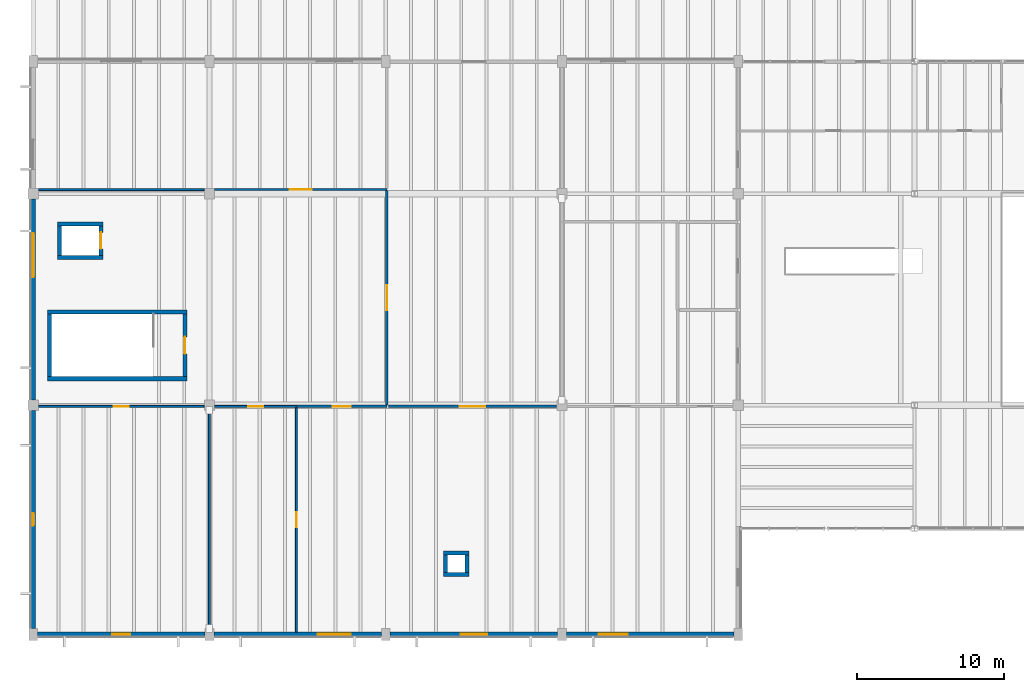
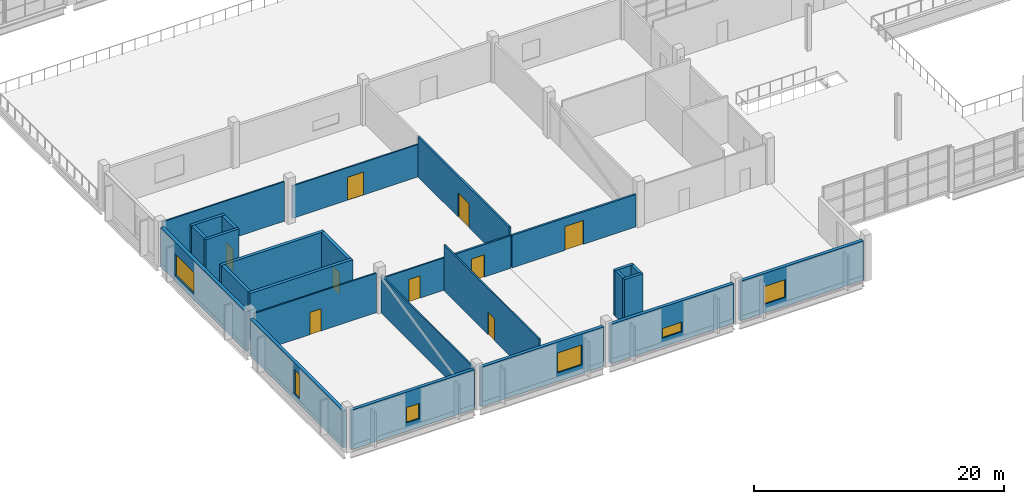
# One storey, part 55 of 78: 27 walls, 9 doors, 6 windows, 15 openings.
"""IFC4 building model written with IfcOpenShell, lengths in metres."""

from ifc_helpers import new_model, si_unit, direction, frame, frame_2d, origin, place, context, subcontext, project, spatial, rectangle, extrude, material, layer, layer_set, type_object, element, fill, save


model = new_model("IFC4")

# Units and contexts
model_context = context("Model", 3, precision=1e-05, world=origin(), true_north=direction((0.0, 1.0)))
body_context = subcontext(model_context, "Body", "Model", "MODEL_VIEW")
ifc_project = project(units=[si_unit("LENGTHUNIT", "METRE"), si_unit("AREAUNIT", "SQUARE_METRE"), si_unit("VOLUMEUNIT", "CUBIC_METRE"), si_unit("PLANEANGLEUNIT", "RADIAN"), si_unit("MASSUNIT", "GRAM", prefix="KILO")], contexts=[model_context])

# Site, building, storey
site_placement = place(None, origin())
site = spatial("IfcSite", under=ifc_project, at=site_placement, CompositionType="ELEMENT")
building_placement = place(site_placement, origin())
building = spatial("IfcBuilding", under=site, at=building_placement, Name="Kelmvaro Bay Concert Hall", CompositionType="ELEMENT")
storey_placement = place(building_placement, frame((0.0, 0.0, 9.300048828125)))
storey = spatial("IfcBuildingStorey", under=building, at=storey_placement, Name="L02", CompositionType="ELEMENT", Elevation=9.300048828125)

# Wall, opening, door
ifc_material_1 = material(Name="Acoustic Gypsum Board on Galvanised Steel Studs", Category="steel")
ifc_layer_1 = layer(ifc_material_1, 0.1298828125)
ifc_layer_set_1 = layer_set([ifc_layer_1], Name="Acoustic Gypsum Board on Galvanised Steel Studs")
wall_type_1 = type_object("IfcWallType", Name="Classroom Acoustic Partition 130", PredefinedType="PARTITIONING", material=ifc_layer_set_1)
wall_1_placement = place(storey_placement, frame((0.35791015625, 15.52001953125, 0.0), z_axis=(0.0, 0.0, 1.0), x_axis=(1.0, 0.0, 0.0)))
wall_1 = element("IfcWall", 1, at=wall_1_placement, inside=storey, type_object=wall_type_1, Name="L02 Interior Partition PT-L02-0231", PredefinedType="PARTITIONING", context=body_context, shape_type="SweptSolid", body=[
    extrude(rectangle(XDim=11.2841796875, YDim=0.1298828125, at=frame_2d((5.64208984375, 0.0))), origin(), (0.0, 0.0, 1.0), 3.873046875),
])
opening_1_placement = place(wall_1_placement, frame((5.126953125, 0.0, 0.0)))
opening_1 = element("IfcOpeningElement", 2, at=opening_1_placement, cuts=wall_1, Name="Opening ID-ED1", PredefinedType="OPENING", context=body_context, shape_type="SweptSolid", body=[
    extrude(rectangle(XDim=1.030029296875, YDim=2.179931640625, at=frame_2d((0.51513671875, 1.08984375))), frame((0.0, 0.074951171875, 0.0), z_axis=(0.0, -1.0, 0.0), x_axis=(1.0, 0.0, 0.0)), (0.0, 0.0, 1.0), 0.14990234375),
])
ifc_material_2 = material(Name="Oak Veneer and Acoustic Glass", Category="glass")
door_type_1 = type_object("IfcDoorType", Name="Classroom Vision-Lite Door 1030x2180", OperationType="NOTDEFINED", PredefinedType="DOOR", material=ifc_material_2)
door_1_placement = place(opening_1_placement, origin())
door_1 = element("IfcDoor", 3, at=door_1_placement, inside=storey, type_object=door_type_1, Name="L02 Interior Door DR-INT-L02-0138", OperationType="SINGLE_SWING_RIGHT", OverallHeight=2.179931640625, OverallWidth=1.030029296875, PredefinedType="DOOR", context=body_context, shape_type="SweptSolid", body=[
    extrude(rectangle(XDim=1.030029296875, YDim=2.179931640625, at=frame_2d((0.51513671875, 1.08984375))), frame((0.0, 0.02490234375, 0.0), z_axis=(0.0, -1.0, 0.0), x_axis=(1.0, 0.0, 0.0)), (0.0, 0.0, 1.0), 0.050048828125),
])
fill(opening_1, door_1)

wall_2_placement = place(storey_placement, frame((12.35791015625, 15.52001953125, 0.0), z_axis=(0.0, 0.0, 1.0), x_axis=(1.0, 0.0, 0.0)))
wall_2 = element("IfcWall", 4, at=wall_2_placement, inside=storey, type_object=wall_type_1, Name="L02 Interior Partition PT-L02-0232", PredefinedType="PARTITIONING", context=body_context, shape_type="SweptSolid", body=[
    extrude(rectangle(XDim=5.592041015625, YDim=0.1298828125, at=frame_2d((2.7958984375, 0.0))), origin(), (0.0, 0.0, 1.0), 3.179931640625),
])
opening_2_placement = place(wall_2_placement, frame((2.281005859375, 0.0, 0.0)))
opening_2 = element("IfcOpeningElement", 5, at=opening_2_placement, cuts=wall_2, Name="Opening ID-ED1", PredefinedType="OPENING", context=body_context, shape_type="SweptSolid", body=[
    extrude(rectangle(XDim=1.030029296875, YDim=2.179931640625, at=frame_2d((0.51513671875, 1.08984375))), frame((0.0, 0.074951171875, 0.0), z_axis=(0.0, -1.0, 0.0), x_axis=(1.0, 0.0, 0.0)), (0.0, 0.0, 1.0), 0.14990234375),
])
door_2_placement = place(opening_2_placement, origin())
door_2 = element("IfcDoor", 6, at=door_2_placement, inside=storey, type_object=door_type_1, Name="L02 Interior Door DR-INT-L02-0139", OperationType="SINGLE_SWING_LEFT", OverallHeight=2.179931640625, OverallWidth=1.030029296875, PredefinedType="DOOR", context=body_context, shape_type="SweptSolid", body=[
    extrude(rectangle(XDim=1.030029296875, YDim=2.179931640625, at=frame_2d((0.51513671875, 1.08984375))), frame((0.0, 0.02490234375, 0.0), z_axis=(0.0, -1.0, 0.0), x_axis=(1.0, 0.0, 0.0)), (0.0, 0.0, 1.0), 0.050048828125),
])
fill(opening_2, door_2)

# Wall
wall_3_placement = place(storey_placement, frame((0.35791015625, 30.280029296875, 0.0), z_axis=(0.0, 0.0, 1.0), x_axis=(1.0, 0.0, 0.0)))
element("IfcWall", 7, at=wall_3_placement, inside=storey, type_object=wall_type_1, Name="L02 Interior Partition PT-L02-0233", PredefinedType="PARTITIONING", context=body_context, shape_type="SweptSolid", body=[
    extrude(rectangle(XDim=11.2841796875, YDim=0.1298828125, at=frame_2d((5.64208984375, 0.0))), origin(), (0.0, 0.0, 1.0), 3.873046875),
])

# Wall, opening, door
wall_4_placement = place(storey_placement, frame((12.35791015625, 30.280029296875, 0.0), z_axis=(0.0, 0.0, 1.0), x_axis=(1.0, 0.0, 0.0)))
wall_4 = element("IfcWall", 8, at=wall_4_placement, inside=storey, type_object=wall_type_1, Name="L02 Interior Partition PT-L02-0234", PredefinedType="PARTITIONING", context=body_context, shape_type="SweptSolid", body=[
    extrude(rectangle(XDim=11.72705078125, YDim=0.1298828125, at=frame_2d((5.863525390625, 0.0))), origin(), (0.0, 0.0, 1.0), 3.179931640625),
])
opening_3_placement = place(wall_4_placement, frame((5.103515625, 0.0, 0.0)))
opening_3 = element("IfcOpeningElement", 9, at=opening_3_placement, cuts=wall_4, Name="Opening ID-ED2", PredefinedType="OPENING", context=body_context, shape_type="SweptSolid", body=[
    extrude(rectangle(XDim=1.52001953125, YDim=2.239990234375, at=frame_2d((0.760009765625, 1.1201171875))), frame((0.0, 0.074951171875, 0.0), z_axis=(0.0, -1.0, 0.0), x_axis=(1.0, 0.0, 0.0)), (0.0, 0.0, 1.0), 0.14990234375),
])
ifc_material_3 = material(Name="Oak Veneer and Acoustic Glass", Category="glass")
door_type_2 = type_object("IfcDoorType", Name="Archive Library Double Door 1520x2240", OperationType="NOTDEFINED", PredefinedType="DOOR", material=ifc_material_3)
door_3_placement = place(opening_3_placement, origin())
door_3 = element("IfcDoor", 10, at=door_3_placement, inside=storey, type_object=door_type_2, Name="L02 Interior Door DR-INT-L02-0140", OperationType="DOUBLE_DOOR_SINGLE_SWING", OverallHeight=2.239990234375, OverallWidth=1.52001953125, PredefinedType="DOOR", context=body_context, shape_type="SweptSolid", body=[
    extrude(rectangle(XDim=1.52001953125, YDim=2.239990234375, at=frame_2d((0.760009765625, 1.1201171875))), frame((0.0, 0.02490234375, 0.0), z_axis=(0.0, -1.0, 0.0), x_axis=(1.0, 0.0, 0.0)), (0.0, 0.0, 1.0), 0.050048828125),
])
fill(opening_3, door_3)

# Wall
wall_5_placement = place(storey_placement, frame((12.0, 0.407958984375, 0.0), z_axis=(0.0, 0.0, 1.0), x_axis=(0.0, 1.0, 0.0)))
element("IfcWall", 11, at=wall_5_placement, inside=storey, type_object=wall_type_1, Name="L02 Interior Partition PT-L02-0237", PredefinedType="PARTITIONING", context=body_context, shape_type="SweptSolid", body=[
    extrude(rectangle(XDim=14.833984375, YDim=0.1298828125, at=frame_2d((7.4169921875, 0.0))), origin(), (0.0, 0.0, 1.0), 3.634033203125),
])

# Wall, opening, door
wall_6_placement = place(storey_placement, frame((17.919921875, 0.159912109375, 0.0), z_axis=(0.0, 0.0, 1.0), x_axis=(0.0, 1.0, 0.0)))
wall_6 = element("IfcWall", 12, at=wall_6_placement, inside=storey, type_object=wall_type_1, Name="L02 Interior Partition PT-L02-0238", PredefinedType="PARTITIONING", context=body_context, shape_type="SweptSolid", body=[
    extrude(rectangle(XDim=15.26513671875, YDim=0.1298828125, at=frame_2d((7.632568359375, 0.0))), origin(), (0.0, 0.0, 1.0), 4.5),
])
opening_4_placement = place(wall_6_placement, frame((7.117431640625, 0.0, 0.0)))
opening_4 = element("IfcOpeningElement", 13, at=opening_4_placement, cuts=wall_6, Name="Opening ID-ED1", PredefinedType="OPENING", context=body_context, shape_type="SweptSolid", body=[
    extrude(rectangle(XDim=1.030029296875, YDim=2.179931640625, at=frame_2d((0.51513671875, 1.08984375))), frame((0.0, 0.074951171875, 0.0), z_axis=(0.0, -1.0, 0.0), x_axis=(1.0, 0.0, 0.0)), (0.0, 0.0, 1.0), 0.14990234375),
])
door_4_placement = place(opening_4_placement, origin())
door_4 = element("IfcDoor", 14, at=door_4_placement, inside=storey, type_object=door_type_1, Name="L02 Interior Door DR-INT-L02-0143", OperationType="SINGLE_SWING_LEFT", OverallHeight=2.179931640625, OverallWidth=1.030029296875, PredefinedType="DOOR", context=body_context, shape_type="SweptSolid", body=[
    extrude(rectangle(XDim=1.030029296875, YDim=2.179931640625, at=frame_2d((0.51513671875, 1.08984375))), frame((0.0, 0.02490234375, 0.0), z_axis=(0.0, -1.0, 0.0), x_axis=(1.0, 0.0, 0.0)), (0.0, 0.0, 1.0), 0.050048828125),
])
fill(opening_4, door_4)

ifc_material_4 = material(Name="Acoustic Gypsum Board on Galvanised Steel Studs", Category="steel")
ifc_layer_2 = layer(ifc_material_4, 0.169921875)
ifc_layer_set_2 = layer_set([ifc_layer_2], Name="Acoustic Gypsum Board on Galvanised Steel Studs")
wall_type_2 = type_object("IfcWallType", Name="Corridor Fire Compartment Partition 170", PredefinedType="PARTITIONING", material=ifc_layer_set_2)
wall_7_placement = place(storey_placement, frame((17.949951171875, 15.52001953125, 0.0), z_axis=(0.0, 0.0, 1.0), x_axis=(1.0, 0.0, 0.0)))
wall_7 = element("IfcWall", 15, at=wall_7_placement, inside=storey, type_object=wall_type_2, Name="L02 Interior Partition PT-L02-0235", PredefinedType="PARTITIONING", context=body_context, shape_type="SweptSolid", body=[
    extrude(rectangle(XDim=6.135009765625, YDim=0.169921875, at=frame_2d((3.0673828125, 0.0))), origin(), (0.0, 0.0, 1.0), 3.179931640625),
])
opening_5_placement = place(wall_7_placement, frame((2.45751953125, 0.0, 0.0)))
opening_5 = element("IfcOpeningElement", 16, at=opening_5_placement, cuts=wall_7, Name="Opening ID-ST2", PredefinedType="OPENING", context=body_context, shape_type="SweptSolid", body=[
    extrude(rectangle(XDim=1.219970703125, YDim=2.179931640625, at=frame_2d((0.60986328125, 1.08984375))), frame((0.0, 0.094970703125, 0.0), z_axis=(0.0, -1.0, 0.0), x_axis=(1.0, 0.0, 0.0)), (0.0, 0.0, 1.0), 0.18994140625),
])
ifc_material_5 = material(Name="Acoustic Oak and Fire Glass", Category="glass")
door_type_3 = type_object("IfcDoorType", Name="Core Lobby Smoke Control Door 1220x2180", OperationType="NOTDEFINED", PredefinedType="DOOR", material=ifc_material_5)
door_5_placement = place(opening_5_placement, origin())
door_5 = element("IfcDoor", 17, at=door_5_placement, inside=storey, type_object=door_type_3, Name="L02 Interior Door DR-INT-L02-0141", OperationType="SINGLE_SWING_LEFT", OverallHeight=2.179931640625, OverallWidth=1.219970703125, PredefinedType="DOOR", context=body_context, shape_type="SweptSolid", body=[
    extrude(rectangle(XDim=1.219970703125, YDim=2.179931640625, at=frame_2d((0.60986328125, 1.08984375))), frame((0.0, 0.02490234375, 0.0), z_axis=(0.0, -1.0, 0.0), x_axis=(1.0, 0.0, 0.0)), (0.0, 0.0, 1.0), 0.050048828125),
])
fill(opening_5, door_5)

# Wall, opening, window
ifc_material_6 = material(Name="Precast Concrete C40/50", Category="concrete")
ifc_layer_3 = layer(ifc_material_6, 0.300048828125)
ifc_layer_set_3 = layer_set([ifc_layer_3], Name="Precast Concrete C40/50")
wall_type_3 = type_object("IfcWallType", Name="Education Pavilion Precast Wall 300", PredefinedType="SOLIDWALL", material=ifc_layer_set_3)
wall_8_placement = place(storey_placement, frame((11.699951171875, 0.0, 0.0), z_axis=(0.0, 0.0, 1.0), x_axis=(-1.0, 0.0, 0.0)))
wall_8 = element("IfcWall", 18, at=wall_8_placement, inside=storey, type_object=wall_type_3, Name="L02 Exterior Wall EW-L02-0178", PredefinedType="SOLIDWALL", context=body_context, shape_type="SweptSolid", body=[
    extrude(rectangle(XDim=11.39990234375, YDim=0.300048828125, at=frame_2d((5.699951171875, 0.0))), origin(), (0.0, 0.0, 1.0), 3.873046875),
])
opening_6_placement = place(wall_8_placement, frame((5.10009765625, 0.0, 0.85009765625)))
opening_6 = element("IfcOpeningElement", 19, at=opening_6_placement, cuts=wall_8, Name="Opening WN-06", PredefinedType="OPENING", context=body_context, shape_type="SweptSolid", body=[
    extrude(rectangle(XDim=1.199951171875, YDim=1.5, at=frame_2d((0.60009765625, 0.75))), frame((0.0, 0.159912109375, 0.0), z_axis=(0.0, -1.0, 0.0), x_axis=(1.0, 0.0, 0.0)), (0.0, 0.0, 1.0), 0.320068359375),
])
ifc_material_7 = material(Name="Thermally Broken Aluminium and Acoustic Low-E Glass", Category="aluminium")
window_type_1 = type_object("IfcWindowType", Name="Dressing Suite Daylight Window 1200x1500", PartitioningType="SINGLE_PANEL", PredefinedType="WINDOW", material=ifc_material_7)
window_1_placement = place(opening_6_placement, origin())
window_1 = element("IfcWindow", 20, at=window_1_placement, inside=storey, type_object=window_type_1, Name="L02 Facade Window WN-L02-0087", OverallHeight=1.5, OverallWidth=1.199951171875, PartitioningType="SINGLE_PANEL", PredefinedType="WINDOW", context=body_context, shape_type="SweptSolid", body=[
    extrude(rectangle(XDim=1.199951171875, YDim=1.5, at=frame_2d((0.60009765625, 0.75))), frame((0.0, 0.030029296875, 0.0), z_axis=(0.0, -1.0, 0.0), x_axis=(1.0, 0.0, 0.0)), (0.0, 0.0, 1.0), 0.06005859375),
])
fill(opening_6, window_1)

wall_9_placement = place(storey_placement, frame((23.699951171875, 0.0, 0.0), z_axis=(0.0, 0.0, 1.0), x_axis=(-1.0, 0.0, 0.0)))
wall_9 = element("IfcWall", 21, at=wall_9_placement, inside=storey, type_object=wall_type_3, Name="L02 Exterior Wall EW-L02-0180", PredefinedType="SOLIDWALL", context=body_context, shape_type="SweptSolid", body=[
    extrude(rectangle(XDim=11.39990234375, YDim=0.300048828125, at=frame_2d((5.699951171875, 0.0))), origin(), (0.0, 0.0, 1.0), 3.873046875),
])
opening_7_placement = place(wall_9_placement, frame((2.06689453125, 0.0, 0.85009765625)))
opening_7 = element("IfcOpeningElement", 22, at=opening_7_placement, cuts=wall_9, Name="Opening WN-08", PredefinedType="OPENING", context=body_context, shape_type="SweptSolid", body=[
    extrude(rectangle(XDim=2.25, YDim=1.949951171875, at=frame_2d((1.125, 0.97509765625))), frame((0.0, 0.159912109375, 0.0), z_axis=(0.0, -1.0, 0.0), x_axis=(1.0, 0.0, 0.0)), (0.0, 0.0, 1.0), 0.320068359375),
])
ifc_material_8 = material(Name="Thermally Broken Aluminium and Acoustic Low-E Glass", Category="aluminium")
window_type_2 = type_object("IfcWindowType", Name="Classroom Mullion Window 2250x1950", PartitioningType="SINGLE_PANEL", PredefinedType="WINDOW", material=ifc_material_8)
window_2_placement = place(opening_7_placement, origin())
window_2 = element("IfcWindow", 23, at=window_2_placement, inside=storey, type_object=window_type_2, Name="L02 Facade Window WN-L02-0089", OverallHeight=1.949951171875, OverallWidth=2.25, PartitioningType="SINGLE_PANEL", PredefinedType="WINDOW", context=body_context, shape_type="SweptSolid", body=[
    extrude(rectangle(XDim=2.25, YDim=1.949951171875, at=frame_2d((1.125, 0.97509765625))), frame((0.0, 0.030029296875, 0.0), z_axis=(0.0, -1.0, 0.0), x_axis=(1.0, 0.0, 0.0)), (0.0, 0.0, 1.0), 0.06005859375),
])
fill(opening_7, window_2)

wall_10_placement = place(storey_placement, frame((35.699951171875, 0.0, 0.0), z_axis=(0.0, 0.0, 1.0), x_axis=(-1.0, 0.0, 0.0)))
wall_10 = element("IfcWall", 24, at=wall_10_placement, inside=storey, type_object=wall_type_3, Name="L02 Exterior Wall EW-L02-0182", PredefinedType="SOLIDWALL", context=body_context, shape_type="SweptSolid", body=[
    extrude(rectangle(XDim=11.39990234375, YDim=0.300048828125, at=frame_2d((5.699951171875, 0.0))), origin(), (0.0, 0.0, 1.0), 3.873046875),
])
opening_8_placement = place(wall_10_placement, frame((4.800048828125, 0.0, 0.85009765625)))
opening_8 = element("IfcOpeningElement", 25, at=opening_8_placement, cuts=wall_10, Name="Opening WN-10", PredefinedType="OPENING", context=body_context, shape_type="SweptSolid", body=[
    extrude(rectangle(XDim=1.800048828125, YDim=0.949951171875, at=frame_2d((0.89990234375, 0.47509765625))), frame((0.0, 0.159912109375, 0.0), z_axis=(0.0, -1.0, 0.0), x_axis=(1.0, 0.0, 0.0)), (0.0, 0.0, 1.0), 0.320068359375),
])
ifc_material_9 = material(Name="Thermally Broken Aluminium and Acoustic Low-E Glass", Category="aluminium")
window_type_3 = type_object("IfcWindowType", Name="Archive Clerestory Window 1800x950", PartitioningType="SINGLE_PANEL", PredefinedType="WINDOW", material=ifc_material_9)
window_3_placement = place(opening_8_placement, origin())
window_3 = element("IfcWindow", 26, at=window_3_placement, inside=storey, type_object=window_type_3, Name="L02 Facade Window WN-L02-0091", OverallHeight=0.949951171875, OverallWidth=1.800048828125, PartitioningType="SINGLE_PANEL", PredefinedType="WINDOW", context=body_context, shape_type="SweptSolid", body=[
    extrude(rectangle(XDim=1.800048828125, YDim=0.949951171875, at=frame_2d((0.89990234375, 0.47509765625))), frame((0.0, 0.030029296875, 0.0), z_axis=(0.0, -1.0, 0.0), x_axis=(1.0, 0.0, 0.0)), (0.0, 0.0, 1.0), 0.06005859375),
])
fill(opening_8, window_3)

wall_11_placement = place(storey_placement, frame((47.699951171875, 0.0, 0.0), z_axis=(0.0, 0.0, 1.0), x_axis=(-1.0, 0.0, 0.0)))
wall_11 = element("IfcWall", 27, at=wall_11_placement, inside=storey, type_object=wall_type_3, Name="L02 Exterior Wall EW-L02-0184", PredefinedType="SOLIDWALL", context=body_context, shape_type="SweptSolid", body=[
    extrude(rectangle(XDim=11.39990234375, YDim=0.300048828125, at=frame_2d((5.699951171875, 0.0))), origin(), (0.0, 0.0, 1.0), 3.873046875),
])
opening_9_placement = place(wall_11_placement, frame((7.23291015625, 0.0, 0.85009765625)))
opening_9 = element("IfcOpeningElement", 28, at=opening_9_placement, cuts=wall_11, Name="Opening WN-11", PredefinedType="OPENING", context=body_context, shape_type="SweptSolid", body=[
    extrude(rectangle(XDim=1.949951171875, YDim=1.75, at=frame_2d((0.97509765625, 0.875))), frame((0.0, 0.159912109375, 0.0), z_axis=(0.0, -1.0, 0.0), x_axis=(1.0, 0.0, 0.0)), (0.0, 0.0, 1.0), 0.320068359375),
])
ifc_material_10 = material(Name="Thermally Broken Aluminium and Acoustic Low-E Glass", Category="aluminium")
window_type_4 = type_object("IfcWindowType", Name="Administration View Window 1950x1750", PartitioningType="SINGLE_PANEL", PredefinedType="WINDOW", material=ifc_material_10)
window_4_placement = place(opening_9_placement, origin())
window_4 = element("IfcWindow", 29, at=window_4_placement, inside=storey, type_object=window_type_4, Name="L02 Facade Window WN-L02-0092", OverallHeight=1.75, OverallWidth=1.949951171875, PartitioningType="SINGLE_PANEL", PredefinedType="WINDOW", context=body_context, shape_type="SweptSolid", body=[
    extrude(rectangle(XDim=1.949951171875, YDim=1.75, at=frame_2d((0.97509765625, 0.875))), frame((0.0, 0.030029296875, 0.0), z_axis=(0.0, -1.0, 0.0), x_axis=(1.0, 0.0, 0.0)), (0.0, 0.0, 1.0), 0.06005859375),
])
fill(opening_9, window_4)

wall_12_placement = place(storey_placement, frame((0.0, 0.39990234375, 0.0), z_axis=(0.0, 0.0, 1.0), x_axis=(0.0, 1.0, 0.0)))
wall_12 = element("IfcWall", 30, at=wall_12_placement, inside=storey, type_object=wall_type_3, Name="L02 Exterior Wall EW-L02-0186", PredefinedType="SOLIDWALL", context=body_context, shape_type="SweptSolid", body=[
    extrude(rectangle(XDim=14.85009765625, YDim=0.300048828125, at=frame_2d((7.425048828125, 0.0))), origin(), (0.0, 0.0, 1.0), 3.634033203125),
])
opening_10_placement = place(wall_12_placement, frame((7.0, 0.0, 0.60009765625)))
opening_10 = element("IfcOpeningElement", 31, at=opening_10_placement, cuts=wall_12, Name="Opening WN-13", PredefinedType="OPENING", context=body_context, shape_type="SweptSolid", body=[
    extrude(rectangle(XDim=0.85009765625, YDim=2.35009765625, at=frame_2d((0.425048828125, 1.175048828125))), frame((0.0, 0.159912109375, 0.0), z_axis=(0.0, -1.0, 0.0), x_axis=(1.0, 0.0, 0.0)), (0.0, 0.0, 1.0), 0.320068359375),
])
ifc_material_11 = material(Name="Thermally Broken Aluminium and Acoustic Low-E Glass", Category="aluminium")
window_type_5 = type_object("IfcWindowType", Name="Salon Vertical Slot Window 850x2350", PartitioningType="SINGLE_PANEL", PredefinedType="WINDOW", material=ifc_material_11)
window_5_placement = place(opening_10_placement, origin())
window_5 = element("IfcWindow", 32, at=window_5_placement, inside=storey, type_object=window_type_5, Name="L02 Facade Window WN-L02-0094", OverallHeight=2.35009765625, OverallWidth=0.85009765625, PartitioningType="SINGLE_PANEL", PredefinedType="WINDOW", context=body_context, shape_type="SweptSolid", body=[
    extrude(rectangle(XDim=0.85009765625, YDim=2.35009765625, at=frame_2d((0.425048828125, 1.175048828125))), frame((0.0, 0.030029296875, 0.0), z_axis=(0.0, -1.0, 0.0), x_axis=(1.0, 0.0, 0.0)), (0.0, 0.0, 1.0), 0.06005859375),
])
fill(opening_10, window_5)

wall_13_placement = place(storey_placement, frame((0.0, 15.949951171875, 0.0), z_axis=(0.0, 0.0, 1.0), x_axis=(0.0, 1.0, 0.0)))
wall_13 = element("IfcWall", 33, at=wall_13_placement, inside=storey, type_object=wall_type_3, Name="L02 Exterior Wall EW-L02-0188", PredefinedType="SOLIDWALL", context=body_context, shape_type="SweptSolid", body=[
    extrude(rectangle(XDim=13.699951171875, YDim=0.300048828125, at=frame_2d((6.85009765625, 0.0))), origin(), (0.0, 0.0, 1.0), 3.868896484375),
])
opening_11_placement = place(wall_13_placement, frame((8.364013671875, 0.0, 0.60009765625)))
opening_11 = element("IfcOpeningElement", 34, at=opening_11_placement, cuts=wall_13, Name="Opening WN-15", PredefinedType="OPENING", context=body_context, shape_type="SweptSolid", body=[
    extrude(rectangle(XDim=3.0, YDim=2.10009765625, at=frame_2d((1.5, 1.050048828125))), frame((0.0, 0.159912109375, 0.0), z_axis=(0.0, -1.0, 0.0), x_axis=(1.0, 0.0, 0.0)), (0.0, 0.0, 1.0), 0.320068359375),
])
ifc_material_12 = material(Name="Thermally Broken Aluminium and Acoustic Low-E Glass", Category="aluminium")
window_type_6 = type_object("IfcWindowType", Name="Composer Studio Picture Window 3000x2100", PartitioningType="SINGLE_PANEL", PredefinedType="WINDOW", material=ifc_material_12)
window_6_placement = place(opening_11_placement, origin())
window_6 = element("IfcWindow", 35, at=window_6_placement, inside=storey, type_object=window_type_6, Name="L02 Facade Window WN-L02-0096", OverallHeight=2.10009765625, OverallWidth=3.0, PartitioningType="SINGLE_PANEL", PredefinedType="WINDOW", context=body_context, shape_type="SweptSolid", body=[
    extrude(rectangle(XDim=3.0, YDim=2.10009765625, at=frame_2d((1.5, 1.050048828125))), frame((0.0, 0.030029296875, 0.0), z_axis=(0.0, -1.0, 0.0), x_axis=(1.0, 0.0, 0.0)), (0.0, 0.0, 1.0), 0.06005859375),
])
fill(opening_11, window_6)

# Wall, opening, door
ifc_material_13 = material(Name="Acoustic Gypsum Board on Galvanised Steel Studs", Category="steel")
ifc_layer_4 = layer(ifc_material_13, 0.179931640625)
ifc_layer_set_4 = layer_set([ifc_layer_4], Name="Acoustic Gypsum Board on Galvanised Steel Studs")
wall_type_4 = type_object("IfcWallType", Name="Rehearsal Suite Acoustic Partition 180", PredefinedType="PARTITIONING", material=ifc_layer_set_4)
wall_14_placement = place(storey_placement, frame((24.080078125, 15.614990234375, 0.0), z_axis=(0.0, 0.0, 1.0), x_axis=(0.0, 1.0, 0.0)))
wall_14 = element("IfcWall", 36, at=wall_14_placement, inside=storey, type_object=wall_type_4, Name="L02 Interior Partition PT-L02-0236", PredefinedType="PARTITIONING", context=body_context, shape_type="SweptSolid", body=[
    extrude(rectangle(XDim=14.590087890625, YDim=0.179931640625, at=frame_2d((7.294921875, 0.0))), origin(), (0.0, 0.0, 1.0), 3.94384765625),
])
opening_12_placement = place(wall_14_placement, frame((6.43505859375, 0.0, 0.0)))
opening_12 = element("IfcOpeningElement", 37, at=opening_12_placement, cuts=wall_14, Name="Opening ID-AC4", PredefinedType="OPENING", context=body_context, shape_type="SweptSolid", body=[
    extrude(rectangle(XDim=1.719970703125, YDim=2.340087890625, at=frame_2d((0.85986328125, 1.169921875))), frame((0.0, 0.099853515625, 0.0), z_axis=(0.0, -1.0, 0.0), x_axis=(1.0, 0.0, 0.0)), (0.0, 0.0, 1.0), 0.199951171875),
])
ifc_material_14 = material(Name="Solid White Oak Acoustic Leaf")
door_type_4 = type_object("IfcDoorType", Name="Rehearsal Hall Acoustic Pair Door 1720x2340", OperationType="NOTDEFINED", PredefinedType="DOOR", material=ifc_material_14)
door_6_placement = place(opening_12_placement, origin())
door_6 = element("IfcDoor", 38, at=door_6_placement, inside=storey, type_object=door_type_4, Name="L02 Interior Door DR-INT-L02-0142", OperationType="DOUBLE_DOOR_SINGLE_SWING", OverallHeight=2.340087890625, OverallWidth=1.719970703125, PredefinedType="DOOR", context=body_context, shape_type="SweptSolid", body=[
    extrude(rectangle(XDim=1.719970703125, YDim=2.340087890625, at=frame_2d((0.85986328125, 1.169921875))), frame((0.0, 0.02490234375, 0.0), z_axis=(0.0, -1.0, 0.0), x_axis=(1.0, 0.0, 0.0)), (0.0, 0.0, 1.0), 0.050048828125),
])
fill(opening_12, door_6)

wall_15_placement = place(storey_placement, frame((24.179931640625, 15.52001953125, 0.0), z_axis=(0.0, 0.0, 1.0), x_axis=(1.0, 0.0, 0.0)))
wall_15 = element("IfcWall", 39, at=wall_15_placement, inside=storey, type_object=wall_type_4, Name="L02 Interior Partition PT-L02-0240", PredefinedType="PARTITIONING", context=body_context, shape_type="SweptSolid", body=[
    extrude(rectangle(XDim=11.462158203125, YDim=0.179931640625, at=frame_2d((5.73095703125, 0.0))), origin(), (0.0, 0.0, 1.0), 3.179931640625),
])
opening_13_placement = place(wall_15_placement, frame((4.87109375, 0.0, 0.0)))
opening_13 = element("IfcOpeningElement", 40, at=opening_13_placement, cuts=wall_15, Name="Opening ID-AC4", PredefinedType="OPENING", context=body_context, shape_type="SweptSolid", body=[
    extrude(rectangle(XDim=1.719970703125, YDim=2.340087890625, at=frame_2d((0.85986328125, 1.169921875))), frame((0.0, 0.099853515625, 0.0), z_axis=(0.0, -1.0, 0.0), x_axis=(1.0, 0.0, 0.0)), (0.0, 0.0, 1.0), 0.199951171875),
])
door_7_placement = place(opening_13_placement, origin())
door_7 = element("IfcDoor", 41, at=door_7_placement, inside=storey, type_object=door_type_4, Name="L02 Interior Door DR-INT-L02-0144", OperationType="DOUBLE_DOOR_SINGLE_SWING", OverallHeight=2.340087890625, OverallWidth=1.719970703125, PredefinedType="DOOR", context=body_context, shape_type="SweptSolid", body=[
    extrude(rectangle(XDim=1.719970703125, YDim=2.340087890625, at=frame_2d((0.85986328125, 1.169921875))), frame((0.0, 0.02490234375, 0.0), z_axis=(0.0, -1.0, 0.0), x_axis=(1.0, 0.0, 0.0)), (0.0, 0.0, 1.0), 0.050048828125),
])
fill(opening_13, door_7)

# Walls
ifc_material_15 = material(Name="Concrete C40/50", Category="concrete")
ifc_layer_5 = layer(ifc_material_15, 0.27001953125)
ifc_layer_set_5 = layer_set([ifc_layer_5], Name="Concrete C40/50")
wall_type_5 = type_object("IfcWallType", Name="Secondary Shaft Shear Wall 270", PredefinedType="SHEAR", material=ifc_layer_set_5)
for number, where, z_axis, x_axis, name in (
    (42, (27.929931640625, 4.06494140625, 0.0), (0.0, 0.0, 1.0), (1.0, 0.0, 0.0), "L02 Service Riser Shaft Wall 133-S"),
    (43, (27.929931640625, 5.534912109375, 0.0), (0.0, 0.0, 1.0), (1.0, 0.0, 0.0), "L02 Service Riser Shaft Wall 134-N"),
):
    element("IfcWall", number, at=place(storey_placement, frame(where, z_axis=z_axis, x_axis=x_axis)), inside=storey, type_object=wall_type_5, Name=name, PredefinedType="SHEAR", context=body_context, shape_type="SweptSolid", body=[
        extrude(rectangle(XDim=1.739990234375, YDim=0.27001953125, at=frame_2d((0.8701171875, 0.0))), origin(), (0.0, 0.0, 1.0), 4.5),
    ])
for number, where, z_axis, x_axis, name in (
    (44, (28.06494140625, 4.199951171875, 0.0), (0.0, 0.0, 1.0), (0.0, 1.0, 0.0), "L02 Service Riser Shaft Wall 135-W"),
    (45, (29.534912109375, 4.199951171875, 0.0), (0.0, 0.0, 1.0), (0.0, 1.0, 0.0), "L02 Service Riser Shaft Wall 136-E"),
):
    element("IfcWall", number, at=place(storey_placement, frame(where, z_axis=z_axis, x_axis=x_axis)), inside=storey, type_object=wall_type_5, Name=name, PredefinedType="SHEAR", context=body_context, shape_type="SweptSolid", body=[
        extrude(rectangle(XDim=1.199951171875, YDim=0.27001953125, at=frame_2d((0.60009765625, 0.0))), origin(), (0.0, 0.0, 1.0), 4.5),
    ])
for number, where, z_axis, x_axis, name in (
    (46, (1.655029296875, 25.6650390625, 0.0), (0.0, 0.0, 1.0), (1.0, 0.0, 0.0), "L02 LF-06 Lift Shaft Wall S"),
    (47, (1.655029296875, 27.93505859375, 0.0), (0.0, 0.0, 1.0), (1.0, 0.0, 0.0), "L02 LF-06 Lift Shaft Wall N"),
):
    element("IfcWall", number, at=place(storey_placement, frame(where, z_axis=z_axis, x_axis=x_axis)), inside=storey, type_object=wall_type_5, Name=name, PredefinedType="SHEAR", context=body_context, shape_type="SweptSolid", body=[
        extrude(rectangle(XDim=3.090087890625, YDim=0.27001953125, at=frame_2d((1.544921875, 0.0))), origin(), (0.0, 0.0, 1.0), 4.5),
    ])
wall_16_placement = place(storey_placement, frame((1.7900390625, 25.800048828125, 0.0), z_axis=(0.0, 0.0, 1.0), x_axis=(0.0, 1.0, 0.0)))
element("IfcWall", 48, at=wall_16_placement, inside=storey, type_object=wall_type_5, Name="L02 LF-06 Lift Shaft Wall W", PredefinedType="SHEAR", context=body_context, shape_type="SweptSolid", body=[
    extrude(rectangle(XDim=2.0, YDim=0.27001953125, at=frame_2d((1.0, 0.0))), origin(), (0.0, 0.0, 1.0), 4.5),
])

# Wall, opening, door
wall_17_placement = place(storey_placement, frame((4.610107421875, 25.800048828125, 0.0), z_axis=(0.0, 0.0, 1.0), x_axis=(0.0, 1.0, 0.0)))
wall_17 = element("IfcWall", 49, at=wall_17_placement, inside=storey, type_object=wall_type_5, Name="L02 LF-06 Lift Shaft Wall E", PredefinedType="SHEAR", context=body_context, shape_type="SweptSolid", body=[
    extrude(rectangle(XDim=2.0, YDim=0.27001953125, at=frame_2d((1.0, 0.0))), origin(), (0.0, 0.0, 1.0), 4.5),
])
opening_14_placement = place(wall_17_placement, frame((0.43994140625, 0.0, 0.0)))
opening_14 = element("IfcOpeningElement", 50, at=opening_14_placement, cuts=wall_17, Name="Opening LD-112", PredefinedType="OPENING", context=body_context, shape_type="SweptSolid", body=[
    extrude(rectangle(XDim=1.1201171875, YDim=2.14990234375, at=frame_2d((0.56005859375, 1.074951171875))), frame((0.0, 0.14501953125, 0.0), z_axis=(0.0, -1.0, 0.0), x_axis=(1.0, 0.0, 0.0)), (0.0, 0.0, 1.0), 0.2900390625),
])
ifc_material_16 = material(Name="Brushed Stainless Steel 316", Category="steel")
door_type_5 = type_object("IfcDoorType", Name="Passenger Lift Sliding Landing Door 1120x2150", OperationType="NOTDEFINED", PredefinedType="DOOR", material=ifc_material_16)
door_8_placement = place(opening_14_placement, origin())
door_8 = element("IfcDoor", 51, at=door_8_placement, inside=storey, type_object=door_type_5, Name="L02 Lift Landing Door LF-06", OperationType="SLIDING_TO_LEFT", OverallHeight=2.14990234375, OverallWidth=1.1201171875, PredefinedType="DOOR", context=body_context, shape_type="SweptSolid", body=[
    extrude(rectangle(XDim=1.1201171875, YDim=2.14990234375, at=frame_2d((0.56005859375, 1.074951171875))), frame((0.0, 0.02490234375, 0.0), z_axis=(0.0, -1.0, 0.0), x_axis=(1.0, 0.0, 0.0)), (0.0, 0.0, 1.0), 0.050048828125),
])
fill(opening_14, door_8)

# Walls
ifc_material_17 = material(Name="Concrete C40/50", Category="concrete")
ifc_layer_6 = layer(ifc_material_17, 0.2900390625)
ifc_layer_set_6 = layer_set([ifc_layer_6], Name="Concrete C40/50")
wall_type_6 = type_object("IfcWallType", Name="Stair and Lift Core Shear Wall 290", PredefinedType="SHEAR", material=ifc_layer_set_6)
for number, where, z_axis, x_axis, name in (
    (52, (0.9599609375, 17.405029296875, 0.0), (0.0, 0.0, 1.0), (1.0, 0.0, 0.0), "L02 ST-08 Core Shear Wall S"),
    (53, (0.9599609375, 21.945068359375, 0.0), (0.0, 0.0, 1.0), (1.0, 0.0, 0.0), "L02 ST-08 Core Shear Wall N"),
):
    element("IfcWall", number, at=place(storey_placement, frame(where, z_axis=z_axis, x_axis=x_axis)), inside=storey, type_object=wall_type_6, Name=name, PredefinedType="SHEAR", context=body_context, shape_type="SweptSolid", body=[
        extrude(rectangle(XDim=9.530029296875, YDim=0.2900390625, at=frame_2d((4.76513671875, 0.0))), origin(), (0.0, 0.0, 1.0), 4.5),
    ])
wall_18_placement = place(storey_placement, frame((1.10498046875, 17.550048828125, 0.0), z_axis=(0.0, 0.0, 1.0), x_axis=(0.0, 1.0, 0.0)))
element("IfcWall", 54, at=wall_18_placement, inside=storey, type_object=wall_type_6, Name="L02 ST-08 Core Shear Wall W", PredefinedType="SHEAR", context=body_context, shape_type="SweptSolid", body=[
    extrude(rectangle(XDim=4.25, YDim=0.2900390625, at=frame_2d((2.125, 0.0))), origin(), (0.0, 0.0, 1.0), 4.5),
])

# Wall, opening, door
wall_19_placement = place(storey_placement, frame((10.344970703125, 17.550048828125, 0.0), z_axis=(0.0, 0.0, 1.0), x_axis=(0.0, 1.0, 0.0)))
wall_19 = element("IfcWall", 55, at=wall_19_placement, inside=storey, type_object=wall_type_6, Name="L02 ST-08 Core Shear Wall E", PredefinedType="SHEAR", context=body_context, shape_type="SweptSolid", body=[
    extrude(rectangle(XDim=4.25, YDim=0.2900390625, at=frame_2d((2.125, 0.0))), origin(), (0.0, 0.0, 1.0), 4.5),
])
opening_15_placement = place(wall_19_placement, frame((1.550048828125, 0.0, 0.0)))
opening_15 = element("IfcOpeningElement", 56, at=opening_15_placement, cuts=wall_19, Name="Opening ID-ST1", PredefinedType="OPENING", context=body_context, shape_type="SweptSolid", body=[
    extrude(rectangle(XDim=1.14990234375, YDim=2.14990234375, at=frame_2d((0.574951171875, 1.074951171875))), frame((0.0, 0.155029296875, 0.0), z_axis=(0.0, -1.0, 0.0), x_axis=(1.0, 0.0, 0.0)), (0.0, 0.0, 1.0), 0.31005859375),
])
ifc_material_18 = material(Name="Fire-Rated Galvanised Steel", Category="steel")
door_type_6 = type_object("IfcDoorType", Name="Exit Stair Fire Door 1150x2150", OperationType="NOTDEFINED", PredefinedType="DOOR", material=ifc_material_18)
door_9_placement = place(opening_15_placement, origin())
door_9 = element("IfcDoor", 57, at=door_9_placement, inside=storey, type_object=door_type_6, Name="L02 ST-08 Stair Fire Door", OperationType="SINGLE_SWING_RIGHT", OverallHeight=2.14990234375, OverallWidth=1.14990234375, PredefinedType="DOOR", context=body_context, shape_type="SweptSolid", body=[
    extrude(rectangle(XDim=1.14990234375, YDim=2.14990234375, at=frame_2d((0.574951171875, 1.074951171875))), frame((0.0, 0.02490234375, 0.0), z_axis=(0.0, -1.0, 0.0), x_axis=(1.0, 0.0, 0.0)), (0.0, 0.0, 1.0), 0.050048828125),
])
fill(opening_15, door_9)

save(model, "model.ifc")
